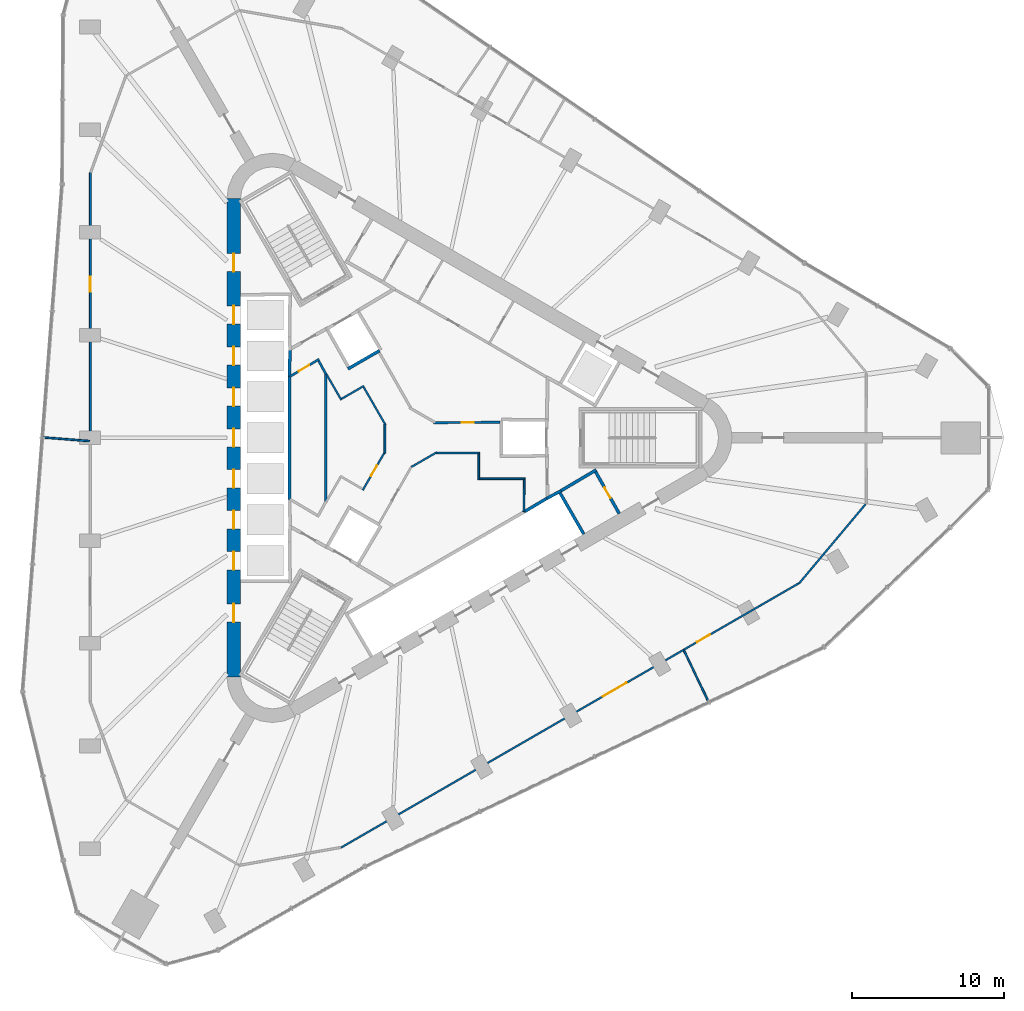
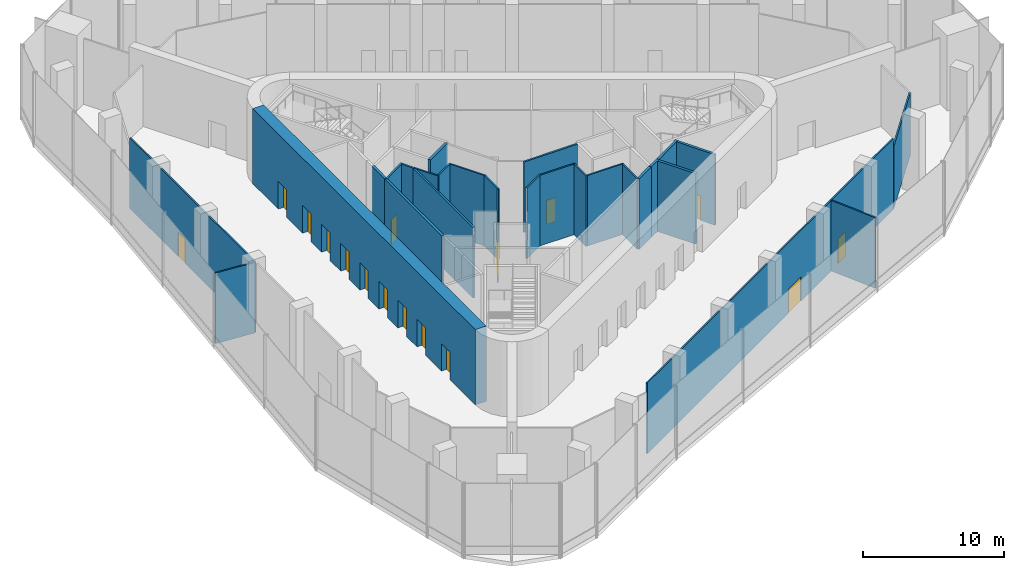
# One storey, part 9 of 15: 29 walls, 16 doors, 16 openings.
"""IFC4 building model written with IfcOpenShell, lengths in metres."""

import ifcopenshell
import ifcopenshell.guid

model = None  # the IFC model being written
_history = None  # IfcOwnerHistory: only IFC2X3 demands one
_inside = {}  # id of a spatial element -> (the spatial element, [elements in it])
_under = {}  # id of a project, library or spatial element -> (it, [spatial elements below it])
_declared = {}  # id of a project -> (the project, [libraries it declares])
_typed = {}  # id of a type object -> (the type object, [elements of that type])
_made_of = {}  # id of a material, layer set ... -> (it, [elements and type objects made of it])


def new_model(schema):
    """Start an empty IFC model of exactly this schema.

    Asked for "IFC4X3", IfcOpenShell would pick the latest addendum, in which some entities
    have other attributes; the version numbers below select the first issue.
    IFC2X3 requires an IfcOwnerHistory on every rooted entity: one is made here for all.
    """
    global model, _history
    if schema == "IFC4X3":
        model = ifcopenshell.file(schema_version=(4, 3, 0, 0))
    else:
        model = ifcopenshell.file(schema=schema)
    _inside.clear()
    _under.clear()
    _declared.clear()
    _typed.clear()
    _made_of.clear()
    _history = None
    if model.schema == "IFC2X3":
        org = make("IfcOrganization", Name="unknown")
        user = make(
            "IfcPersonAndOrganization",
            ThePerson=make("IfcPerson", FamilyName="unknown"),
            TheOrganization=org,
        )
        app = make(
            "IfcApplication",
            ApplicationDeveloper=org,
            Version="unknown",
            ApplicationFullName="unknown",
            ApplicationIdentifier="unknown",
        )
        _history = make(
            "IfcOwnerHistory",
            OwningUser=user,
            OwningApplication=app,
            ChangeAction="ADDED",
            CreationDate=0,
        )
    return model


def make(cls, **values):
    """One entity of the class cls with the attributes given. An attribute that is None is left unset."""
    return model.create_entity(
        cls, **{name: value for name, value in values.items() if value is not None}
    )


def rooted(cls, **values):
    """An entity with a GlobalId (a new one), such as an element, a storey or a relation."""
    return make(cls, GlobalId=ifcopenshell.guid.new(), OwnerHistory=_history, **values)


def si_unit(unit_type, name, prefix=None):
    """IfcSIUnit, for example si_unit("LENGTHUNIT", "METRE", prefix="MILLI")."""
    return make("IfcSIUnit", UnitType=unit_type, Prefix=prefix, Name=name)


def assignment(units):
    """IfcUnitAssignment: the units of a project."""
    return None if units is None else make("IfcUnitAssignment", Units=units)


def point(xyz):
    """IfcCartesianPoint."""
    return None if xyz is None else make("IfcCartesianPoint", Coordinates=xyz)


def direction(xyz):
    """IfcDirection."""
    return None if xyz is None else make("IfcDirection", DirectionRatios=xyz)


def frame(location, z_axis=None, x_axis=None):
    """IfcAxis2Placement3D, a coordinate frame: its origin and axes. An axis left out is left unset."""
    return make(
        "IfcAxis2Placement3D",
        Location=point(location),
        Axis=direction(z_axis),
        RefDirection=direction(x_axis),
    )


def frame_2d(location, x_axis=None):
    """IfcAxis2Placement2D, a coordinate frame in the plane: its origin and x axis."""
    return make(
        "IfcAxis2Placement2D", Location=point(location), RefDirection=direction(x_axis)
    )


def origin():
    """The frame at (0, 0, 0) with its axes left unset."""
    return frame((0.0, 0.0, 0.0))


def place(relative_to, where):
    """IfcLocalPlacement: puts the frame where relative to a parent placement (None: the world)."""
    return make(
        "IfcLocalPlacement", PlacementRelTo=relative_to, RelativePlacement=where
    )


def context(
    kind, dimensions, precision=None, world=None, true_north=None, identifier=None
):
    """IfcGeometricRepresentationContext, for example the 3D "Model" context."""
    return make(
        "IfcGeometricRepresentationContext",
        ContextIdentifier=identifier,
        ContextType=kind,
        CoordinateSpaceDimension=dimensions,
        Precision=precision,
        WorldCoordinateSystem=world,
        TrueNorth=true_north,
    )


def subcontext(parent, identifier, kind, view, scale=None):
    """IfcGeometricRepresentationSubContext, for example "Body" below "Model"."""
    return make(
        "IfcGeometricRepresentationSubContext",
        ContextIdentifier=identifier,
        ContextType=kind,
        ParentContext=parent,
        TargetScale=scale,
        TargetView=view,
    )


def project(units=None, contexts=None):
    """IfcProject with its units and contexts."""
    return rooted(
        "IfcProject",
        Name="project",
        RepresentationContexts=contexts,
        UnitsInContext=assignment(units),
    )


def spatial(cls, under=None, at=None, **own):
    """A site, building, storey or space (cls), placed at a placement, below another one or the project."""
    s = rooted(cls, ObjectPlacement=at, **own)
    if under is not None:
        _under.setdefault(under.id(), (under, []))[1].append(s)
    return s


def profile(cls, at=None, kind="AREA", **sizes):
    """A parametric profile (cls). Its sizes go by their IFC names, for example OverallWidth=200.0."""
    return make(cls, ProfileType=kind, Position=at, **sizes)


def rectangle(**sizes):
    """IfcRectangleProfileDef."""
    return profile("IfcRectangleProfileDef", **sizes)


def extrude(swept, where, along, depth):
    """IfcExtrudedAreaSolid: the profile swept, set in the frame where, extruded along a direction by depth."""
    return make(
        "IfcExtrudedAreaSolid",
        SweptArea=swept,
        Position=where,
        ExtrudedDirection=direction(along),
        Depth=depth,
    )


def shape(context_of_items, identifier, shape_type, items):
    """IfcShapeRepresentation: the items that make up one representation, for example the "Body"."""
    return make(
        "IfcShapeRepresentation",
        ContextOfItems=context_of_items,
        RepresentationIdentifier=identifier,
        RepresentationType=shape_type,
        Items=items,
    )


def material(Name=None, Category=None):
    """IfcMaterial."""
    return make("IfcMaterial", Name=Name, Category=Category)


def layer(
    of_material, thickness, ventilated=None, Name=None, Category=None, Priority=None
):
    """IfcMaterialLayer: one layer of a wall or slab, of a material (None: an air gap)."""
    return make(
        "IfcMaterialLayer",
        Material=of_material,
        LayerThickness=thickness,
        IsVentilated=ventilated,
        Name=Name,
        Category=Category,
        Priority=Priority,
    )


def layer_set(layers, Name=None):
    """IfcMaterialLayerSet."""
    return make("IfcMaterialLayerSet", MaterialLayers=layers, LayerSetName=Name)


def made_of(thing, what):
    """Note that an element or type object is made of a material, layer set ...; save() writes the relation."""
    if what is not None:
        _made_of.setdefault(what.id(), (what, []))[1].append(thing)
    return thing


def type_object(cls, material=None, **own):
    """A type object (cls), such as IfcWallType, which elements share."""
    return made_of(rooted(cls, **own), material)


def element(
    cls,
    number,
    at=None,
    inside=None,
    cuts=None,
    type_object=None,
    material=None,
    context=None,
    identifier="Body",
    shape_type=None,
    held_by="IfcProductDefinitionShape",
    body=None,
    shapes=None,
    **own,
):
    """One element of the class cls, such as IfcWall. Its Tag is "e" and its number.

    at: its placement. inside: the storey or other place that contains it. cuts: it is an
    opening in that element (IfcRelVoidsElement). A single representation is given by context,
    identifier, shape_type and body (its items); several are given by shapes. held_by: the class
    of the entity that holds the representations. save() writes the other relations.
    """
    e = rooted(cls, Tag="e%d" % number, ObjectPlacement=at, **own)
    if body is not None:
        shapes = [shape(context, identifier, shape_type, body)]
    if shapes is not None:
        e.Representation = make(held_by, Representations=shapes)
    if inside is not None:
        _inside.setdefault(inside.id(), (inside, []))[1].append(e)
    if cuts is not None:
        rooted(
            "IfcRelVoidsElement", RelatingBuildingElement=cuts, RelatedOpeningElement=e
        )
    if type_object is not None:
        _typed.setdefault(type_object.id(), (type_object, []))[1].append(e)
    return made_of(e, material)


def fill(opening, filler):
    """IfcRelFillsElement: the door or window that sits in an opening."""
    return rooted(
        "IfcRelFillsElement",
        RelatingOpeningElement=opening,
        RelatedBuildingElement=filler,
    )


def aggregate(whole, parts):
    """IfcRelAggregates: a whole, such as a stair, and the parts it consists of."""
    return rooted("IfcRelAggregates", RelatingObject=whole, RelatedObjects=parts)


def save(model, path):
    """Write the relations noted so far, then the file.

    IfcRelAggregates (storeys below a building ...), IfcRelContainedInSpatialStructure (elements
    in a storey), IfcRelDefinesByType, IfcRelAssociatesMaterial and IfcRelDeclares: one each for
    every whole, place, type object, material and project.
    """
    for whole, parts in _under.values():
        aggregate(whole, parts)
    for where, things in _inside.values():
        rooted(
            "IfcRelContainedInSpatialStructure",
            RelatedElements=things,
            RelatingStructure=where,
        )
    for kind, things in _typed.values():
        rooted("IfcRelDefinesByType", RelatedObjects=things, RelatingType=kind)
    for what, things in _made_of.values():
        rooted("IfcRelAssociatesMaterial", RelatedObjects=things, RelatingMaterial=what)
    for by, libraries in _declared.values():
        rooted("IfcRelDeclares", RelatingContext=by, RelatedDefinitions=libraries)
    model.write(path)


model = new_model("IFC4")

# Units and contexts
model_context = context("Model", 3, precision=1e-05, world=origin(), true_north=direction((0.0, 1.0)))
body_context = subcontext(model_context, "Body", "Model", "MODEL_VIEW")
ifc_project = project(units=[si_unit("LENGTHUNIT", "METRE"), si_unit("AREAUNIT", "SQUARE_METRE"), si_unit("VOLUMEUNIT", "CUBIC_METRE"), si_unit("PLANEANGLEUNIT", "RADIAN"), si_unit("MASSUNIT", "GRAM", prefix="KILO")], contexts=[model_context])

# Site, building, storey
site_placement = place(None, origin())
site = spatial("IfcSite", under=ifc_project, at=site_placement, CompositionType="ELEMENT")
building_placement = place(site_placement, origin())
building = spatial("IfcBuilding", under=site, at=building_placement, Name="Tanit Gate Tower", CompositionType="ELEMENT")
storey_placement = place(building_placement, frame((0.0, 0.0, 277.199951171875)))
storey = spatial("IfcBuildingStorey", under=building, at=storey_placement, Name="L63", CompositionType="ELEMENT", Elevation=277.199951171875)

# Wall, openings, doors
ifc_material_1 = material(Name="Concrete C50/60", Category="concrete")
ifc_layer_1 = layer(ifc_material_1, 0.89990234375)
ifc_layer_set_1 = layer_set([ifc_layer_1], Name="CORE WALL 900 C50/60")
wall_type_1 = type_object("IfcWallType", Name="CORE WALL 900 C50/60", PredefinedType="SHEAR", material=ifc_layer_set_1)
wall_1_placement = place(storey_placement, frame((-11.64990234375, 15.76171875, 0.0), z_axis=(0.0, 0.0, 1.0), x_axis=(0.0, -1.0, 0.0)))
wall_1 = element("IfcWall", 1, at=wall_1_placement, inside=storey, type_object=wall_type_1, Name="CORE WALL", PredefinedType="SHEAR", context=body_context, shape_type="SweptSolid", body=[
    extrude(rectangle(XDim=31.5234375, YDim=0.89990234375, at=frame_2d((15.76171875, 0.0))), origin(), (0.0, 0.0, 1.0), 6.5),
])
opening_1_placement = place(wall_1_placement, frame((7.061767578125, 0.0, 0.0)))
opening_1 = element("IfcOpeningElement", 2, at=opening_1_placement, cuts=wall_1, Name="Opening LDHL1-63", PredefinedType="OPENING", context=body_context, shape_type="SweptSolid", body=[
    extrude(rectangle(XDim=1.199951171875, YDim=2.39990234375, at=frame_2d((0.60009765625, 1.199951171875))), frame((0.0, 0.4599609375, 0.0), z_axis=(0.0, -1.0, 0.0), x_axis=(1.0, 0.0, 0.0)), (0.0, 0.0, 1.0), 0.919921875),
])
opening_2_placement = place(wall_1_placement, frame((9.76171875, 0.0, 0.0)))
opening_2 = element("IfcOpeningElement", 3, at=opening_2_placement, cuts=wall_1, Name="Opening LDHL2-63", PredefinedType="OPENING", context=body_context, shape_type="SweptSolid", body=[
    extrude(rectangle(XDim=1.199951171875, YDim=2.39990234375, at=frame_2d((0.60009765625, 1.199951171875))), frame((0.0, 0.4599609375, 0.0), z_axis=(0.0, -1.0, 0.0), x_axis=(1.0, 0.0, 0.0)), (0.0, 0.0, 1.0), 0.919921875),
])
opening_3_placement = place(wall_1_placement, frame((12.461669921875, 0.0, 0.0)))
opening_3 = element("IfcOpeningElement", 4, at=opening_3_placement, cuts=wall_1, Name="Opening LDHL3-63", PredefinedType="OPENING", context=body_context, shape_type="SweptSolid", body=[
    extrude(rectangle(XDim=1.199951171875, YDim=2.39990234375, at=frame_2d((0.60009765625, 1.199951171875))), frame((0.0, 0.4599609375, 0.0), z_axis=(0.0, -1.0, 0.0), x_axis=(1.0, 0.0, 0.0)), (0.0, 0.0, 1.0), 0.919921875),
])
opening_4_placement = place(wall_1_placement, frame((15.16162109375, 0.0, 0.0)))
opening_4 = element("IfcOpeningElement", 5, at=opening_4_placement, cuts=wall_1, Name="Opening LDHL4-63", PredefinedType="OPENING", context=body_context, shape_type="SweptSolid", body=[
    extrude(rectangle(XDim=1.199951171875, YDim=2.39990234375, at=frame_2d((0.60009765625, 1.199951171875))), frame((0.0, 0.4599609375, 0.0), z_axis=(0.0, -1.0, 0.0), x_axis=(1.0, 0.0, 0.0)), (0.0, 0.0, 1.0), 0.919921875),
])
opening_5_placement = place(wall_1_placement, frame((17.86181640625, 0.0, 0.0)))
opening_5 = element("IfcOpeningElement", 6, at=opening_5_placement, cuts=wall_1, Name="Opening LDHL5-63", PredefinedType="OPENING", context=body_context, shape_type="SweptSolid", body=[
    extrude(rectangle(XDim=1.199951171875, YDim=2.39990234375, at=frame_2d((0.60009765625, 1.199951171875))), frame((0.0, 0.4599609375, 0.0), z_axis=(0.0, -1.0, 0.0), x_axis=(1.0, 0.0, 0.0)), (0.0, 0.0, 1.0), 0.919921875),
])
opening_6_placement = place(wall_1_placement, frame((20.561767578125, 0.0, 0.0)))
opening_6 = element("IfcOpeningElement", 7, at=opening_6_placement, cuts=wall_1, Name="Opening LDHL6-63", PredefinedType="OPENING", context=body_context, shape_type="SweptSolid", body=[
    extrude(rectangle(XDim=1.199951171875, YDim=2.39990234375, at=frame_2d((0.60009765625, 1.199951171875))), frame((0.0, 0.4599609375, 0.0), z_axis=(0.0, -1.0, 0.0), x_axis=(1.0, 0.0, 0.0)), (0.0, 0.0, 1.0), 0.919921875),
])
opening_7_placement = place(wall_1_placement, frame((23.26171875, 0.0, 0.0)))
opening_7 = element("IfcOpeningElement", 8, at=opening_7_placement, cuts=wall_1, Name="Opening LDHL7-63", PredefinedType="OPENING", context=body_context, shape_type="SweptSolid", body=[
    extrude(rectangle(XDim=1.199951171875, YDim=2.39990234375, at=frame_2d((0.60009765625, 1.199951171875))), frame((0.0, 0.4599609375, 0.0), z_axis=(0.0, -1.0, 0.0), x_axis=(1.0, 0.0, 0.0)), (0.0, 0.0, 1.0), 0.919921875),
])
opening_8_placement = place(wall_1_placement, frame((3.61181640625, 0.0, 0.0)))
opening_8 = element("IfcOpeningElement", 9, at=opening_8_placement, cuts=wall_1, Name="Opening F12-63-FL2", PredefinedType="OPENING", context=body_context, shape_type="SweptSolid", body=[
    extrude(rectangle(XDim=1.199951171875, YDim=2.39990234375, at=frame_2d((0.60009765625, 1.199951171875))), frame((0.0, 0.4599609375, 0.0), z_axis=(0.0, -1.0, 0.0), x_axis=(1.0, 0.0, 0.0)), (0.0, 0.0, 1.0), 0.919921875),
])
opening_9_placement = place(wall_1_placement, frame((26.711669921875, 0.0, 0.0)))
opening_9 = element("IfcOpeningElement", 10, at=opening_9_placement, cuts=wall_1, Name="Opening F12-63-S3", PredefinedType="OPENING", context=body_context, shape_type="SweptSolid", body=[
    extrude(rectangle(XDim=1.199951171875, YDim=2.39990234375, at=frame_2d((0.60009765625, 1.199951171875))), frame((0.0, 0.4599609375, 0.0), z_axis=(0.0, -1.0, 0.0), x_axis=(1.0, 0.0, 0.0)), (0.0, 0.0, 1.0), 0.919921875),
])
ifc_material_2 = material(Name="Fire-rated steel door leaf", Category="steel")
door_type_1 = type_object("IfcDoorType", Name="INT-DOOR-FIRE-LOBBY-1200", OperationType="NOTDEFINED", PredefinedType="USERDEFINED", material=ifc_material_2)
door_1_placement = place(opening_8_placement, origin())
door_1 = element("IfcDoor", 11, at=door_1_placement, inside=storey, type_object=door_type_1, Name="Door F12-63-FL2", ObjectType="FIRE DOOR", OperationType="SINGLE_SWING_RIGHT", OverallHeight=2.39990234375, OverallWidth=1.199951171875, PredefinedType="USERDEFINED", context=body_context, shape_type="SweptSolid", body=[
    extrude(rectangle(XDim=1.199951171875, YDim=2.39990234375, at=frame_2d((0.60009765625, 1.199951171875))), frame((0.0, 0.02490234375, 0.0), z_axis=(0.0, -1.0, 0.0), x_axis=(1.0, 0.0, 0.0)), (0.0, 0.0, 1.0), 0.050048828125),
])
fill(opening_8, door_1)
door_2_placement = place(opening_9_placement, origin())
door_2 = element("IfcDoor", 12, at=door_2_placement, inside=storey, type_object=door_type_1, Name="Door F12-63-S3", ObjectType="FIRE DOOR", OperationType="SINGLE_SWING_RIGHT", OverallHeight=2.39990234375, OverallWidth=1.199951171875, PredefinedType="USERDEFINED", context=body_context, shape_type="SweptSolid", body=[
    extrude(rectangle(XDim=1.199951171875, YDim=2.39990234375, at=frame_2d((0.60009765625, 1.199951171875))), frame((0.0, 0.02490234375, 0.0), z_axis=(0.0, -1.0, 0.0), x_axis=(1.0, 0.0, 0.0)), (0.0, 0.0, 1.0), 0.050048828125),
])
fill(opening_9, door_2)
ifc_material_3 = material(Name="Stainless steel sliding door leaf", Category="steel")
door_type_2 = type_object("IfcDoorType", Name="INT-DOOR-LANDING-1200", OperationType="NOTDEFINED", PredefinedType="USERDEFINED", material=ifc_material_3)
door_3_placement = place(opening_1_placement, origin())
door_3 = element("IfcDoor", 13, at=door_3_placement, inside=storey, type_object=door_type_2, Name="Door LDHL1-63", ObjectType="LANDING DOOR", OperationType="SLIDING_TO_LEFT", OverallHeight=2.39990234375, OverallWidth=1.199951171875, PredefinedType="USERDEFINED", context=body_context, shape_type="SweptSolid", body=[
    extrude(rectangle(XDim=1.199951171875, YDim=2.39990234375, at=frame_2d((0.60009765625, 1.199951171875))), frame((0.0, 0.02490234375, 0.0), z_axis=(0.0, -1.0, 0.0), x_axis=(1.0, 0.0, 0.0)), (0.0, 0.0, 1.0), 0.050048828125),
])
fill(opening_1, door_3)
door_4_placement = place(opening_2_placement, origin())
door_4 = element("IfcDoor", 14, at=door_4_placement, inside=storey, type_object=door_type_2, Name="Door LDHL2-63", ObjectType="LANDING DOOR", OperationType="SLIDING_TO_LEFT", OverallHeight=2.39990234375, OverallWidth=1.199951171875, PredefinedType="USERDEFINED", context=body_context, shape_type="SweptSolid", body=[
    extrude(rectangle(XDim=1.199951171875, YDim=2.39990234375, at=frame_2d((0.60009765625, 1.199951171875))), frame((0.0, 0.02490234375, 0.0), z_axis=(0.0, -1.0, 0.0), x_axis=(1.0, 0.0, 0.0)), (0.0, 0.0, 1.0), 0.050048828125),
])
fill(opening_2, door_4)
door_5_placement = place(opening_3_placement, origin())
door_5 = element("IfcDoor", 15, at=door_5_placement, inside=storey, type_object=door_type_2, Name="Door LDHL3-63", ObjectType="LANDING DOOR", OperationType="SLIDING_TO_LEFT", OverallHeight=2.39990234375, OverallWidth=1.199951171875, PredefinedType="USERDEFINED", context=body_context, shape_type="SweptSolid", body=[
    extrude(rectangle(XDim=1.199951171875, YDim=2.39990234375, at=frame_2d((0.60009765625, 1.199951171875))), frame((0.0, 0.02490234375, 0.0), z_axis=(0.0, -1.0, 0.0), x_axis=(1.0, 0.0, 0.0)), (0.0, 0.0, 1.0), 0.050048828125),
])
fill(opening_3, door_5)
door_6_placement = place(opening_4_placement, origin())
door_6 = element("IfcDoor", 16, at=door_6_placement, inside=storey, type_object=door_type_2, Name="Door LDHL4-63", ObjectType="LANDING DOOR", OperationType="SLIDING_TO_LEFT", OverallHeight=2.39990234375, OverallWidth=1.199951171875, PredefinedType="USERDEFINED", context=body_context, shape_type="SweptSolid", body=[
    extrude(rectangle(XDim=1.199951171875, YDim=2.39990234375, at=frame_2d((0.60009765625, 1.199951171875))), frame((0.0, 0.02490234375, 0.0), z_axis=(0.0, -1.0, 0.0), x_axis=(1.0, 0.0, 0.0)), (0.0, 0.0, 1.0), 0.050048828125),
])
fill(opening_4, door_6)
door_7_placement = place(opening_5_placement, origin())
door_7 = element("IfcDoor", 17, at=door_7_placement, inside=storey, type_object=door_type_2, Name="Door LDHL5-63", ObjectType="LANDING DOOR", OperationType="SLIDING_TO_LEFT", OverallHeight=2.39990234375, OverallWidth=1.199951171875, PredefinedType="USERDEFINED", context=body_context, shape_type="SweptSolid", body=[
    extrude(rectangle(XDim=1.199951171875, YDim=2.39990234375, at=frame_2d((0.60009765625, 1.199951171875))), frame((0.0, 0.02490234375, 0.0), z_axis=(0.0, -1.0, 0.0), x_axis=(1.0, 0.0, 0.0)), (0.0, 0.0, 1.0), 0.050048828125),
])
fill(opening_5, door_7)
door_8_placement = place(opening_6_placement, origin())
door_8 = element("IfcDoor", 18, at=door_8_placement, inside=storey, type_object=door_type_2, Name="Door LDHL6-63", ObjectType="LANDING DOOR", OperationType="SLIDING_TO_LEFT", OverallHeight=2.39990234375, OverallWidth=1.199951171875, PredefinedType="USERDEFINED", context=body_context, shape_type="SweptSolid", body=[
    extrude(rectangle(XDim=1.199951171875, YDim=2.39990234375, at=frame_2d((0.60009765625, 1.199951171875))), frame((0.0, 0.02490234375, 0.0), z_axis=(0.0, -1.0, 0.0), x_axis=(1.0, 0.0, 0.0)), (0.0, 0.0, 1.0), 0.050048828125),
])
fill(opening_6, door_8)
door_9_placement = place(opening_7_placement, origin())
door_9 = element("IfcDoor", 19, at=door_9_placement, inside=storey, type_object=door_type_2, Name="Door LDHL7-63", ObjectType="LANDING DOOR", OperationType="SLIDING_TO_LEFT", OverallHeight=2.39990234375, OverallWidth=1.199951171875, PredefinedType="USERDEFINED", context=body_context, shape_type="SweptSolid", body=[
    extrude(rectangle(XDim=1.199951171875, YDim=2.39990234375, at=frame_2d((0.60009765625, 1.199951171875))), frame((0.0, 0.02490234375, 0.0), z_axis=(0.0, -1.0, 0.0), x_axis=(1.0, 0.0, 0.0)), (0.0, 0.0, 1.0), 0.050048828125),
])
fill(opening_7, door_9)

# Wall
ifc_material_4 = material(Name="Fire-rated gypsum board partition")
ifc_layer_2 = layer(ifc_material_4, 0.199951171875)
ifc_layer_set_2 = layer_set([ifc_layer_2], Name="INT-WALL-COMPARTMENT")
wall_type_2 = type_object("IfcWallType", Name="INT-WALL-COMPARTMENT", PredefinedType="PARTITIONING", material=ifc_layer_set_2)
wall_2_placement = place(storey_placement, frame((12.244873046875, -2.10888671875, 0.0), z_axis=(0.0, 0.0, 1.0), x_axis=(-0.860414880418, -0.509594185166, 0.0)))
element("IfcWall", 20, at=wall_2_placement, inside=storey, type_object=wall_type_2, Name="Wall Compartment W059", PredefinedType="PARTITIONING", context=body_context, shape_type="SweptSolid", body=[
    extrude(rectangle(XDim=2.7001953125, YDim=0.199951171875, at=frame_2d((1.35009765625, 0.0))), origin(), (0.0, 0.0, 1.0), 6.10009765625),
])

# Wall, opening, door
wall_3_placement = place(storey_placement, frame((13.758056640625, -4.989501953125, 0.0), z_axis=(0.0, 0.0, 1.0), x_axis=(-0.491993409184, 0.87059892334, 0.0)))
wall_3 = element("IfcWall", 21, at=wall_3_placement, inside=storey, type_object=wall_type_2, Name="Wall Compartment W060", PredefinedType="PARTITIONING", context=body_context, shape_type="SweptSolid", body=[
    extrude(rectangle(XDim=3.150146484375, YDim=0.199951171875, at=frame_2d((1.5751953125, 0.0))), origin(), (0.0, 0.0, 1.0), 6.10009765625),
])
opening_10_placement = place(wall_3_placement, frame((1.175048828125, 0.0, 0.0)))
opening_10 = element("IfcOpeningElement", 22, at=opening_10_placement, cuts=wall_3, Name="Opening R08-63-17", PredefinedType="OPENING", context=body_context, shape_type="SweptSolid", body=[
    extrude(rectangle(XDim=0.800048828125, YDim=2.10009765625, at=frame_2d((0.39990234375, 1.050048828125))), frame((0.0, 0.10986328125, 0.0), z_axis=(0.0, -1.0, 0.0), x_axis=(1.0, 0.0, 0.0)), (0.0, 0.0, 1.0), 0.219970703125),
])
ifc_material_5 = material(Name="Timber door leaf", Category="wood")
door_type_3 = type_object("IfcDoorType", Name="INT-DOOR-RISER-800", OperationType="NOTDEFINED", PredefinedType="USERDEFINED", material=ifc_material_5)
door_10_placement = place(opening_10_placement, origin())
door_10 = element("IfcDoor", 23, at=door_10_placement, inside=storey, type_object=door_type_3, Name="Door R08-63-17", ObjectType="FIRE DOOR", OperationType="SINGLE_SWING_LEFT", OverallHeight=2.10009765625, OverallWidth=0.800048828125, PredefinedType="USERDEFINED", context=body_context, shape_type="SweptSolid", body=[
    extrude(rectangle(XDim=0.800048828125, YDim=2.10009765625, at=frame_2d((0.39990234375, 1.050048828125))), frame((0.0, 0.02490234375, 0.0), z_axis=(0.0, -1.0, 0.0), x_axis=(1.0, 0.0, 0.0)), (0.0, 0.0, 1.0), 0.050048828125),
])
fill(opening_10, door_10)

# Walls
ifc_material_6 = material(Name="Gypsum board partition")
ifc_layer_3 = layer(ifc_material_6, 0.1201171875)
ifc_layer_set_3 = layer_set([ifc_layer_3], Name="INT-WALL-PARTITION")
wall_type_3 = type_object("IfcWallType", Name="INT-WALL-PARTITION", PredefinedType="PARTITIONING", material=ifc_layer_set_3)
wall_4_placement = place(storey_placement, frame((1.7353515625, -0.947998046875, 0.0), z_axis=(0.0, 0.0, 1.0), x_axis=(-0.866021702275, -0.500006411147, 0.0)))
element("IfcWall", 24, at=wall_4_placement, inside=storey, type_object=wall_type_3, Name="Wall Partition W071", PredefinedType="PARTITIONING", context=body_context, shape_type="SweptSolid", body=[
    extrude(rectangle(XDim=1.93505859375, YDim=0.1201171875, at=frame_2d((0.967529296875, 0.0))), origin(), (0.0, 0.0, 1.0), 6.10009765625),
])
wall_5_placement = place(storey_placement, frame((4.56005859375, -1.0, 0.0), z_axis=(0.0, 0.0, 1.0), x_axis=(-1.0, 0.0, 0.0)))
element("IfcWall", 25, at=wall_5_placement, inside=storey, type_object=wall_type_3, Name="Wall Partition W072", PredefinedType="PARTITIONING", context=body_context, shape_type="SweptSolid", body=[
    extrude(rectangle(XDim=2.89599609375, YDim=0.1201171875, at=frame_2d((1.447998046875, 0.0))), origin(), (0.0, 0.0, 1.0), 6.10009765625),
])
wall_6_placement = place(storey_placement, frame((4.5, -2.760009765625, 0.0), z_axis=(0.0, 0.0, 1.0), x_axis=(0.0, 1.0, 0.0)))
element("IfcWall", 26, at=wall_6_placement, inside=storey, type_object=wall_type_3, Name="Wall Partition W073", PredefinedType="PARTITIONING", context=body_context, shape_type="SweptSolid", body=[
    extrude(rectangle(XDim=1.699951171875, YDim=0.1201171875, at=frame_2d((0.85009765625, 0.0))), origin(), (0.0, 0.0, 1.0), 6.10009765625),
])
wall_7_placement = place(storey_placement, frame((7.56005859375, -2.699951171875, 0.0), z_axis=(0.0, 0.0, 1.0), x_axis=(-1.0, 0.0, 0.0)))
element("IfcWall", 27, at=wall_7_placement, inside=storey, type_object=wall_type_3, Name="Wall Partition W074", PredefinedType="PARTITIONING", context=body_context, shape_type="SweptSolid", body=[
    extrude(rectangle(XDim=3.0, YDim=0.1201171875, at=frame_2d((1.5, 0.0))), origin(), (0.0, 0.0, 1.0), 6.10009765625),
])
wall_8_placement = place(storey_placement, frame((7.474609375, -4.864501953125, 0.0), z_axis=(0.0, 0.0, 1.0), x_axis=(0.011716133148, 0.999931363757, 0.0)))
element("IfcWall", 28, at=wall_8_placement, inside=storey, type_object=wall_type_3, Name="Wall Partition W075", PredefinedType="PARTITIONING", context=body_context, shape_type="SweptSolid", body=[
    extrude(rectangle(XDim=2.104736328125, YDim=0.1201171875, at=frame_2d((1.05224609375, 0.0))), origin(), (0.0, 0.0, 1.0), 6.10009765625),
])
wall_9_placement = place(storey_placement, frame((-4.558349609375, 2.4951171875, 0.0), z_axis=(0.0, 0.0, 1.0), x_axis=(-0.499990325971, 0.866030989016, 0.0)))
element("IfcWall", 29, at=wall_9_placement, inside=storey, type_object=wall_type_3, Name="Wall Partition W081", PredefinedType="PARTITIONING", context=body_context, shape_type="SweptSolid", body=[
    extrude(rectangle(XDim=2.02490234375, YDim=0.1201171875, at=frame_2d((1.012451171875, 0.0))), origin(), (0.0, 0.0, 1.0), 6.10009765625),
])
wall_10_placement = place(storey_placement, frame((-3.06396484375, 3.427001953125, 0.0), z_axis=(0.0, 0.0, 1.0), x_axis=(-0.866087547558, -0.499892348375, 0.0)))
element("IfcWall", 30, at=wall_10_placement, inside=storey, type_object=wall_type_3, Name="Wall Partition W082", PredefinedType="PARTITIONING", context=body_context, shape_type="SweptSolid", body=[
    extrude(rectangle(XDim=1.699951171875, YDim=0.1201171875, at=frame_2d((0.85009765625, 0.0))), origin(), (0.0, 0.0, 1.0), 6.10009765625),
])
wall_11_placement = place(storey_placement, frame((-1.63671875, 0.8349609375, 0.0), z_axis=(0.0, 0.0, 1.0), x_axis=(-0.499980071345, 0.866036909293, 0.0)))
element("IfcWall", 31, at=wall_11_placement, inside=storey, type_object=wall_type_3, Name="Wall Partition W083", PredefinedType="PARTITIONING", context=body_context, shape_type="SweptSolid", body=[
    extrude(rectangle(XDim=2.8984375, YDim=0.1201171875, at=frame_2d((1.44921875, 0.0))), origin(), (0.0, 0.0, 1.0), 6.10009765625),
])
wall_12_placement = place(storey_placement, frame((-1.688720703125, -1.02880859375, 0.0), z_axis=(0.0, 0.0, 1.0), x_axis=(0.0, 1.0, 0.0)))
element("IfcWall", 32, at=wall_12_placement, inside=storey, type_object=wall_type_3, Name="Wall Partition W084", PredefinedType="PARTITIONING", context=body_context, shape_type="SweptSolid", body=[
    extrude(rectangle(XDim=1.935302734375, YDim=0.1201171875, at=frame_2d((0.9677734375, 0.0))), origin(), (0.0, 0.0, 1.0), 6.10009765625),
])

# Wall, opening, door
wall_13_placement = place(storey_placement, frame((-3.14599609375, -3.448974609375, 0.0), z_axis=(0.0, 0.0, 1.0), x_axis=(0.500028961621, 0.866008682139, 0.0)))
wall_13 = element("IfcWall", 33, at=wall_13_placement, inside=storey, type_object=wall_type_3, Name="Wall Partition W085", PredefinedType="PARTITIONING", context=body_context, shape_type="SweptSolid", body=[
    extrude(rectangle(XDim=2.895751953125, YDim=0.1201171875, at=frame_2d((1.44775390625, 0.0))), origin(), (0.0, 0.0, 1.0), 6.10009765625),
])
opening_11_placement = place(wall_13_placement, frame((1.077880859375, 0.0, 0.0)))
opening_11 = element("IfcOpeningElement", 34, at=opening_11_placement, cuts=wall_13, Name="Opening R08-63-13", PredefinedType="OPENING", context=body_context, shape_type="SweptSolid", body=[
    extrude(rectangle(XDim=0.800048828125, YDim=2.10009765625, at=frame_2d((0.39990234375, 1.050048828125))), frame((0.0, 0.070068359375, 0.0), z_axis=(0.0, -1.0, 0.0), x_axis=(1.0, 0.0, 0.0)), (0.0, 0.0, 1.0), 0.14013671875),
])
door_11_placement = place(opening_11_placement, origin())
door_11 = element("IfcDoor", 35, at=door_11_placement, inside=storey, type_object=door_type_3, Name="Door R08-63-13", ObjectType="FIRE DOOR", OperationType="SINGLE_SWING_LEFT", OverallHeight=2.10009765625, OverallWidth=0.800048828125, PredefinedType="USERDEFINED", context=body_context, shape_type="SweptSolid", body=[
    extrude(rectangle(XDim=0.800048828125, YDim=2.10009765625, at=frame_2d((0.39990234375, 1.050048828125))), frame((0.0, 0.02490234375, 0.0), z_axis=(0.0, -1.0, 0.0), x_axis=(1.0, 0.0, 0.0)), (0.0, 0.0, 1.0), 0.050048828125),
])
fill(opening_11, door_11)

wall_14_placement = place(storey_placement, frame((-21.10009765625, 17.488037109375, 0.0), z_axis=(0.0, 0.0, 1.0), x_axis=(0.0, -1.0, 0.0)))
wall_14 = element("IfcWall", 36, at=wall_14_placement, inside=storey, type_object=wall_type_3, Name="Wall Partition W088", PredefinedType="PARTITIONING", context=body_context, shape_type="SweptSolid", body=[
    extrude(rectangle(XDim=17.70556640625, YDim=0.1201171875, at=frame_2d((8.852783203125, 0.0))), origin(), (0.0, 0.0, 1.0), 6.10009765625),
])
opening_12_placement = place(wall_14_placement, frame((6.860107421875, 0.0, 0.0)))
opening_12 = element("IfcOpeningElement", 37, at=opening_12_placement, cuts=wall_14, Name="Opening D10-63-19", PredefinedType="OPENING", context=body_context, shape_type="SweptSolid", body=[
    extrude(rectangle(XDim=1.0, YDim=2.10009765625, at=frame_2d((0.5, 1.050048828125))), frame((0.0, 0.070068359375, 0.0), z_axis=(0.0, -1.0, 0.0), x_axis=(1.0, 0.0, 0.0)), (0.0, 0.0, 1.0), 0.14013671875),
])
ifc_material_7 = material(Name="Timber door leaf", Category="wood")
door_type_4 = type_object("IfcDoorType", Name="INT-DOOR-SINGLE-1000", OperationType="NOTDEFINED", PredefinedType="NOTDEFINED", material=ifc_material_7)
door_12_placement = place(opening_12_placement, origin())
door_12 = element("IfcDoor", 38, at=door_12_placement, inside=storey, type_object=door_type_4, Name="Door D10-63-19", OperationType="SINGLE_SWING_RIGHT", OverallHeight=2.10009765625, OverallWidth=1.0, PredefinedType="NOTDEFINED", context=body_context, shape_type="SweptSolid", body=[
    extrude(rectangle(XDim=1.0, YDim=2.10009765625, at=frame_2d((0.5, 1.050048828125))), frame((0.0, 0.02490234375, 0.0), z_axis=(0.0, -1.0, 0.0), x_axis=(1.0, 0.0, 0.0)), (0.0, 0.0, 1.0), 0.050048828125),
])
fill(opening_12, door_12)

# Wall
wall_15_placement = place(storey_placement, frame((-21.159912109375, -0.21044921875, 0.0), z_axis=(0.0, 0.0, 1.0), x_axis=(-0.996976257669, 0.077706767045, 0.0)))
element("IfcWall", 39, at=wall_15_placement, inside=storey, type_object=wall_type_3, Name="Wall Partition W094", PredefinedType="PARTITIONING", context=body_context, shape_type="SweptSolid", body=[
    extrude(rectangle(XDim=3.123046875, YDim=0.1201171875, at=frame_2d((1.5615234375, 0.0))), origin(), (0.0, 0.0, 1.0), 6.10009765625),
])

# Wall, opening, door
wall_16_placement = place(storey_placement, frame((-4.594970703125, -27.01708984375, 0.0), z_axis=(0.0, 0.0, 1.0), x_axis=(0.866023879948, 0.500002639353, 0.0)))
wall_16 = element("IfcWall", 40, at=wall_16_placement, inside=storey, type_object=wall_type_3, Name="Wall Partition W112", PredefinedType="PARTITIONING", context=body_context, shape_type="SweptSolid", body=[
    extrude(rectangle(XDim=26.097412109375, YDim=0.1201171875, at=frame_2d((13.048828125, 0.0))), origin(), (0.0, 0.0, 1.0), 6.10009765625),
])
opening_13_placement = place(wall_16_placement, frame((19.9599609375, 0.0, 0.0)))
opening_13 = element("IfcOpeningElement", 41, at=opening_13_placement, cuts=wall_16, Name="Opening D18-63-23", PredefinedType="OPENING", context=body_context, shape_type="SweptSolid", body=[
    extrude(rectangle(XDim=1.800048828125, YDim=2.10009765625, at=frame_2d((0.89990234375, 1.050048828125))), frame((0.0, 0.070068359375, 0.0), z_axis=(0.0, -1.0, 0.0), x_axis=(1.0, 0.0, 0.0)), (0.0, 0.0, 1.0), 0.14013671875),
])
ifc_material_8 = material(Name="Timber door leaf", Category="wood")
door_type_5 = type_object("IfcDoorType", Name="INT-DOOR-PAIR-1800", OperationType="NOTDEFINED", PredefinedType="NOTDEFINED", material=ifc_material_8)
door_13_placement = place(opening_13_placement, origin())
door_13 = element("IfcDoor", 42, at=door_13_placement, inside=storey, type_object=door_type_5, Name="Door D18-63-23", OperationType="DOUBLE_DOOR_SINGLE_SWING", OverallHeight=2.10009765625, OverallWidth=1.800048828125, PredefinedType="NOTDEFINED", context=body_context, shape_type="SweptSolid", body=[
    extrude(rectangle(XDim=1.800048828125, YDim=2.10009765625, at=frame_2d((0.89990234375, 1.050048828125))), frame((0.0, 0.02490234375, 0.0), z_axis=(0.0, -1.0, 0.0), x_axis=(1.0, 0.0, 0.0)), (0.0, 0.0, 1.0), 0.050048828125),
])
fill(opening_13, door_13)

wall_17_placement = place(storey_placement, frame((18.006103515625, -13.96826171875, 0.0), z_axis=(0.0, 0.0, 1.0), x_axis=(0.866026830048, 0.499997529631, 0.0)))
wall_17 = element("IfcWall", 43, at=wall_17_placement, inside=storey, type_object=wall_type_3, Name="Wall Partition W117", PredefinedType="PARTITIONING", context=body_context, shape_type="SweptSolid", body=[
    extrude(rectangle(XDim=8.75830078125, YDim=0.1201171875, at=frame_2d((4.379150390625, 0.0))), origin(), (0.0, 0.0, 1.0), 6.10009765625),
])
opening_14_placement = place(wall_17_placement, frame((1.0, 0.0, 0.0)))
opening_14 = element("IfcOpeningElement", 44, at=opening_14_placement, cuts=wall_17, Name="Opening D10-63-24", PredefinedType="OPENING", context=body_context, shape_type="SweptSolid", body=[
    extrude(rectangle(XDim=1.0, YDim=2.10009765625, at=frame_2d((0.5, 1.050048828125))), frame((0.0, 0.070068359375, 0.0), z_axis=(0.0, -1.0, 0.0), x_axis=(1.0, 0.0, 0.0)), (0.0, 0.0, 1.0), 0.14013671875),
])
door_14_placement = place(opening_14_placement, origin())
door_14 = element("IfcDoor", 45, at=door_14_placement, inside=storey, type_object=door_type_4, Name="Door D10-63-24", OperationType="SINGLE_SWING_RIGHT", OverallHeight=2.10009765625, OverallWidth=1.0, PredefinedType="NOTDEFINED", context=body_context, shape_type="SweptSolid", body=[
    extrude(rectangle(XDim=1.0, YDim=2.10009765625, at=frame_2d((0.5, 1.050048828125))), frame((0.0, 0.02490234375, 0.0), z_axis=(0.0, -1.0, 0.0), x_axis=(1.0, 0.0, 0.0)), (0.0, 0.0, 1.0), 0.050048828125),
])
fill(opening_14, door_14)

# Walls
wall_18_placement = place(storey_placement, frame((25.6044921875, -9.605224609375, 0.0), z_axis=(0.0, 0.0, 1.0), x_axis=(0.642787203901, 0.766044783613, 0.0)))
element("IfcWall", 46, at=wall_18_placement, inside=storey, type_object=wall_type_3, Name="Wall Partition W116", PredefinedType="PARTITIONING", context=body_context, shape_type="SweptSolid", body=[
    extrude(rectangle(XDim=6.817626953125, YDim=0.1201171875, at=frame_2d((3.40869140625, 0.0))), origin(), (0.0, 0.0, 1.0), 5.380126953125),
])
wall_19_placement = place(storey_placement, frame((19.657958984375, -17.429931640625, 0.0), z_axis=(0.0, 0.0, 1.0), x_axis=(-0.431155702596, 0.902277540516, 0.0)))
element("IfcWall", 47, at=wall_19_placement, inside=storey, type_object=wall_type_3, Name="Wall Partition W118", PredefinedType="PARTITIONING", context=body_context, shape_type="SweptSolid", body=[
    extrude(rectangle(XDim=3.775146484375, YDim=0.1201171875, at=frame_2d((1.8876953125, 0.0))), origin(), (0.0, 0.0, 1.0), 6.10009765625),
])

# Wall, opening, door
ifc_material_9 = material(Name="Fire-rated gypsum board partition")
ifc_layer_4 = layer(ifc_material_9, 0.14990234375)
ifc_layer_set_4 = layer_set([ifc_layer_4], Name="INT-WALL-RISER")
wall_type_4 = type_object("IfcWallType", Name="INT-WALL-RISER", PredefinedType="PLUMBINGWALL", material=ifc_layer_set_4)
wall_20_placement = place(storey_placement, frame((1.517578125, 0.9990234375, 0.0), z_axis=(0.0, 0.0, 1.0), x_axis=(0.999976903524, 0.006796500403, 0.0)))
wall_20 = element("IfcWall", 48, at=wall_20_placement, inside=storey, type_object=wall_type_4, Name="Wall Riser W067", PredefinedType="PLUMBINGWALL", context=body_context, shape_type="SweptSolid", body=[
    extrude(rectangle(XDim=4.38232421875, YDim=0.14990234375, at=frame_2d((2.191162109375, 0.0))), origin(), (0.0, 0.0, 1.0), 6.10009765625),
])
opening_15_placement = place(wall_20_placement, frame((1.855224609375, 0.0, 0.0)))
opening_15 = element("IfcOpeningElement", 49, at=opening_15_placement, cuts=wall_20, Name="Opening R08-63-10", PredefinedType="OPENING", context=body_context, shape_type="SweptSolid", body=[
    extrude(rectangle(XDim=0.800048828125, YDim=2.10009765625, at=frame_2d((0.39990234375, 1.050048828125))), frame((0.0, 0.0849609375, 0.0), z_axis=(0.0, -1.0, 0.0), x_axis=(1.0, 0.0, 0.0)), (0.0, 0.0, 1.0), 0.169921875),
])
door_15_placement = place(opening_15_placement, origin())
door_15 = element("IfcDoor", 50, at=door_15_placement, inside=storey, type_object=door_type_3, Name="Door R08-63-10", ObjectType="FIRE DOOR", OperationType="SINGLE_SWING_LEFT", OverallHeight=2.10009765625, OverallWidth=0.800048828125, PredefinedType="USERDEFINED", context=body_context, shape_type="SweptSolid", body=[
    extrude(rectangle(XDim=0.800048828125, YDim=2.10009765625, at=frame_2d((0.39990234375, 1.050048828125))), frame((0.0, 0.02490234375, 0.0), z_axis=(0.0, -1.0, 0.0), x_axis=(1.0, 0.0, 0.0)), (0.0, 0.0, 1.0), 0.050048828125),
])
fill(opening_15, door_15)

# Wall
wall_21_placement = place(storey_placement, frame((-5.585693359375, -4.274658203125, 0.0), z_axis=(0.0, 0.0, 1.0), x_axis=(0.0, 1.0, 0.0)))
element("IfcWall", 51, at=wall_21_placement, inside=storey, type_object=wall_type_4, Name="Wall Riser W076", PredefinedType="PLUMBINGWALL", context=body_context, shape_type="SweptSolid", body=[
    extrude(rectangle(XDim=8.54931640625, YDim=0.14990234375, at=frame_2d((4.274658203125, 0.0))), origin(), (0.0, 0.0, 1.0), 6.10009765625),
])

# Wall, opening, door
wall_22_placement = place(storey_placement, frame((-6.023681640625, 5.183349609375, 0.0), z_axis=(0.0, 0.0, 1.0), x_axis=(-0.860126804455, -0.510080268447, 0.0)))
wall_22 = element("IfcWall", 52, at=wall_22_placement, inside=storey, type_object=wall_type_4, Name="Wall Riser W079", PredefinedType="PLUMBINGWALL", context=body_context, shape_type="SweptSolid", body=[
    extrude(rectangle(XDim=2.239501953125, YDim=0.14990234375, at=frame_2d((1.11962890625, 0.0))), origin(), (0.0, 0.0, 1.0), 6.10009765625),
])
opening_16_placement = place(wall_22_placement, frame((0.75732421875, 0.0, 0.0)))
opening_16 = element("IfcOpeningElement", 53, at=opening_16_placement, cuts=wall_22, Name="Opening R08-63-12", PredefinedType="OPENING", context=body_context, shape_type="SweptSolid", body=[
    extrude(rectangle(XDim=0.800048828125, YDim=2.10009765625, at=frame_2d((0.39990234375, 1.050048828125))), frame((0.0, 0.0849609375, 0.0), z_axis=(0.0, -1.0, 0.0), x_axis=(1.0, 0.0, 0.0)), (0.0, 0.0, 1.0), 0.169921875),
])
door_16_placement = place(opening_16_placement, origin())
door_16 = element("IfcDoor", 54, at=door_16_placement, inside=storey, type_object=door_type_3, Name="Door R08-63-12", ObjectType="FIRE DOOR", OperationType="SINGLE_SWING_LEFT", OverallHeight=2.10009765625, OverallWidth=0.800048828125, PredefinedType="USERDEFINED", context=body_context, shape_type="SweptSolid", body=[
    extrude(rectangle(XDim=0.800048828125, YDim=2.10009765625, at=frame_2d((0.39990234375, 1.050048828125))), frame((0.0, 0.02490234375, 0.0), z_axis=(0.0, -1.0, 0.0), x_axis=(1.0, 0.0, 0.0)), (0.0, 0.0, 1.0), 0.050048828125),
])
fill(opening_16, door_16)

# Walls
wall_23_placement = place(storey_placement, frame((-5.57080078125, 4.189697265625, 0.0), z_axis=(0.0, 0.0, 1.0), x_axis=(-0.476127658675, 0.879376172434, 0.0)))
element("IfcWall", 55, at=wall_23_placement, inside=storey, type_object=wall_type_4, Name="Wall Riser W080", PredefinedType="PLUMBINGWALL", context=body_context, shape_type="SweptSolid", body=[
    extrude(rectangle(XDim=1.01171875, YDim=0.14990234375, at=frame_2d((0.505859375, 0.0))), origin(), (0.0, 0.0, 1.0), 6.10009765625),
])
ifc_material_10 = material(Name="Gypsum shaft wall system")
ifc_layer_5 = layer(ifc_material_10, 0.199951171875)
ifc_layer_set_5 = layer_set([ifc_layer_5], Name="INT-WALL-SHAFT")
wall_type_5 = type_object("IfcWallType", Name="INT-WALL-SHAFT", PredefinedType="PLUMBINGWALL", material=ifc_layer_set_5)
wall_24_placement = place(storey_placement, frame((-7.94921875, 5.894775390625, 0.0), z_axis=(0.0, 0.0, 1.0), x_axis=(-0.012042535896, -0.999927486035, 0.0)))
element("IfcWall", 56, at=wall_24_placement, inside=storey, type_object=wall_type_5, Name="Wall Shaft W004", PredefinedType="PLUMBINGWALL", context=body_context, shape_type="SweptSolid", body=[
    extrude(rectangle(XDim=1.844970703125, YDim=0.199951171875, at=frame_2d((0.92236328125, 0.0))), origin(), (0.0, 0.0, 1.0), 6.10009765625),
])
wall_25_placement = place(storey_placement, frame((-7.97998046875, 4.050048828125, 0.0), z_axis=(0.0, 0.0, 1.0), x_axis=(0.0, -1.0, 0.0)))
element("IfcWall", 57, at=wall_25_placement, inside=storey, type_object=wall_type_5, Name="Wall Shaft W005", PredefinedType="PLUMBINGWALL", context=body_context, shape_type="SweptSolid", body=[
    extrude(rectangle(XDim=8.10009765625, YDim=0.199951171875, at=frame_2d((4.050048828125, 0.0))), origin(), (0.0, 0.0, 1.0), 6.10009765625),
])
wall_26_placement = place(storey_placement, frame((9.794677734375, -3.52490234375, 0.0), z_axis=(0.0, 0.0, 1.0), x_axis=(0.499984717929, -0.866034226713, 0.0)))
element("IfcWall", 58, at=wall_26_placement, inside=storey, type_object=wall_type_5, Name="Wall Shaft W016", PredefinedType="PLUMBINGWALL", context=body_context, shape_type="SweptSolid", body=[
    extrude(rectangle(XDim=3.25, YDim=0.199951171875, at=frame_2d((1.625, 0.0))), origin(), (0.0, 0.0, 1.0), 6.10009765625),
])
wall_27_placement = place(storey_placement, frame((8.97412109375, -3.998779296875, 0.0), z_axis=(0.0, 0.0, 1.0), x_axis=(0.880907015104, 0.473289373154, 0.0)))
element("IfcWall", 59, at=wall_27_placement, inside=storey, type_object=wall_type_5, Name="Wall Shaft W017", PredefinedType="PLUMBINGWALL", context=body_context, shape_type="SweptSolid", body=[
    extrude(rectangle(XDim=1.078125, YDim=0.199951171875, at=frame_2d((0.5390625, 0.0))), origin(), (0.0, 0.0, 1.0), 6.10009765625),
])
wall_28_placement = place(storey_placement, frame((7.4931640625, -4.87841796875, 0.0), z_axis=(0.0, 0.0, 1.0), x_axis=(0.859981807212, 0.510324691999, 0.0)))
element("IfcWall", 60, at=wall_28_placement, inside=storey, type_object=wall_type_5, Name="Wall Shaft W018", PredefinedType="PLUMBINGWALL", context=body_context, shape_type="SweptSolid", body=[
    extrude(rectangle(XDim=1.8447265625, YDim=0.199951171875, at=frame_2d((0.92236328125, 0.0))), origin(), (0.0, 0.0, 1.0), 6.10009765625),
])
wall_29_placement = place(storey_placement, frame((-2.04345703125, 5.748291015625, 0.0), z_axis=(0.0, 0.0, 1.0), x_axis=(-0.866035096217, -0.499983211839, 0.0)))
element("IfcWall", 61, at=wall_29_placement, inside=storey, type_object=wall_type_5, Name="Wall Shaft W039", PredefinedType="PLUMBINGWALL", context=body_context, shape_type="SweptSolid", body=[
    extrude(rectangle(XDim=2.404296875, YDim=0.199951171875, at=frame_2d((1.2021484375, 0.0))), origin(), (0.0, 0.0, 1.0), 6.10009765625),
])

save(model, "model.ifc")
